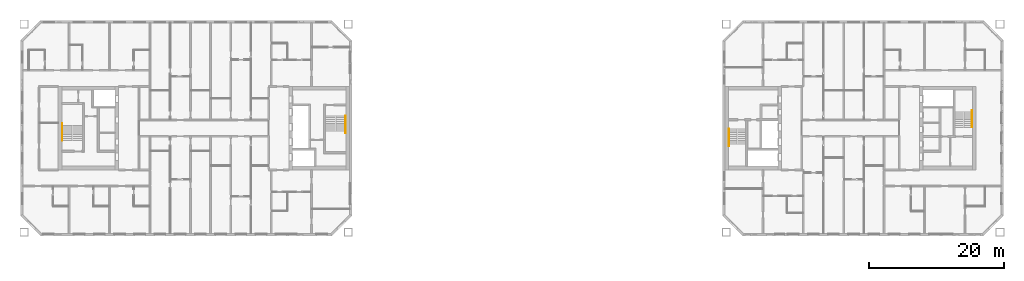
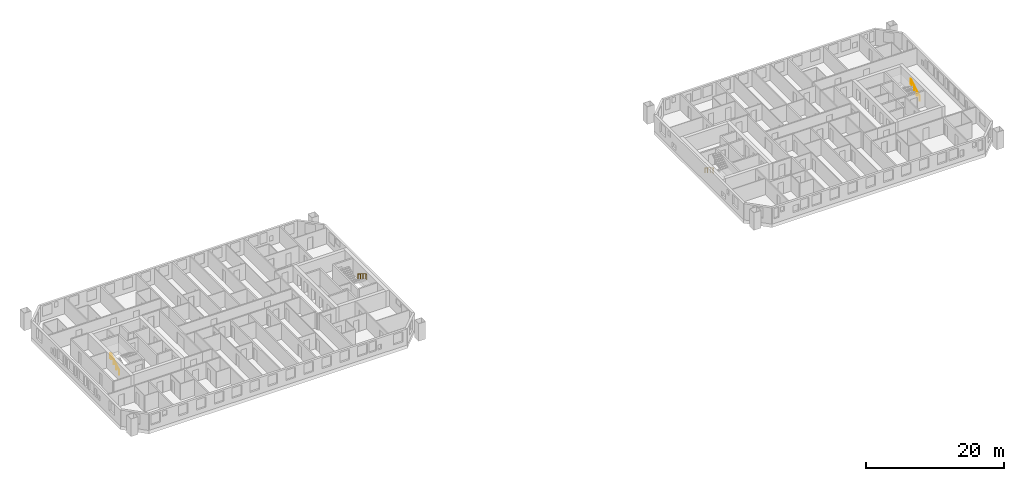
# One storey, part 17 of 17: 4 railings.
"""IFC4 building model written with IfcOpenShell, lengths in metres."""

from ifc_helpers import new_model, si_unit, direction, frame, origin, origin_2d, place, context, subcontext, project, spatial, circle, extrude, material, type_object, element, save


model = new_model("IFC4")

# Units and contexts
model_context = context("Model", 3, precision=1e-05, world=origin(), true_north=direction((0.0, 1.0)))
body_context = subcontext(model_context, "Body", "Model", "MODEL_VIEW")
ifc_project = project(units=[si_unit("LENGTHUNIT", "METRE"), si_unit("AREAUNIT", "SQUARE_METRE"), si_unit("VOLUMEUNIT", "CUBIC_METRE"), si_unit("PLANEANGLEUNIT", "RADIAN"), si_unit("MASSUNIT", "GRAM", prefix="KILO")], contexts=[model_context])

# Site, building, storey
site_placement = place(None, origin())
site = spatial("IfcSite", under=ifc_project, at=site_placement, CompositionType="ELEMENT")
building_placement = place(site_placement, origin())
building = spatial("IfcBuilding", under=site, at=building_placement, Name="Tuart Gate Housing", CompositionType="ELEMENT")
storey_placement = place(building_placement, frame((0.0, 0.0, 123.699951171875)))
storey = spatial("IfcBuildingStorey", under=building, at=storey_placement, Name="L34", CompositionType="ELEMENT", Elevation=123.699951171875)

# Railings
ifc_material = material(Name="Stainless steel", Category="steel")
railing_type = type_object("IfcRailingType", Name="Stair handrail 900", PredefinedType="HANDRAIL", material=ifc_material)
railing_1_placement = place(storey_placement, frame((75.030029296875, 71.824951171875, 0.17236328125)))
element("IfcRailing", 1, at=railing_1_placement, inside=storey, type_object=railing_type, Name="Stair handrail SA1.1", PredefinedType="HANDRAIL", context=body_context, shape_type="SweptSolid", body=[
    extrude(circle(Radius=0.02392578125, at=origin_2d()), frame((0.0, 0.0, 0.8759765625), z_axis=(0.0, -0.85178898068, 0.523885037382), x_axis=(1.0, 0.0, 0.0)), (0.0, 0.0, 1.0), 2.629638671875),
    extrude(circle(Radius=0.02392578125, at=origin_2d()), frame((0.0, -2.239990234375, 2.25341796875), z_axis=(0.0, -1.0, 0.0), x_axis=(1.0, 0.0, 0.0)), (0.0, 0.0, 1.0), 0.300048828125),
    extrude(circle(Radius=0.02099609375, at=origin_2d()), origin(), (0.0, 0.0, 1.0), 0.851806640625),
    extrude(circle(Radius=0.02099609375, at=origin_2d()), frame((0.0, -0.74658203125, 0.459228515625)), (0.0, 0.0, 1.0), 0.851806640625),
    extrude(circle(Radius=0.02099609375, at=origin_2d()), frame((0.0, -1.493408203125, 0.91845703125)), (0.0, 0.0, 1.0), 0.851806640625),
    extrude(circle(Radius=0.02099609375, at=origin_2d()), frame((0.0, -2.239990234375, 1.377685546875)), (0.0, 0.0, 1.0), 0.851806640625),
    extrude(circle(Radius=0.02099609375, at=origin_2d()), frame((0.0, -2.5400390625, 1.377685546875)), (0.0, 0.0, 1.0), 0.851806640625),
])
railing_2_placement = place(storey_placement, frame((32.969970703125, 68.175048828125, 0.17236328125)))
element("IfcRailing", 2, at=railing_2_placement, inside=storey, type_object=railing_type, Name="Stair handrail SA2.1", PredefinedType="HANDRAIL", context=body_context, shape_type="SweptSolid", body=[
    extrude(circle(Radius=0.02392578125, at=origin_2d()), frame((0.0, 0.0, 0.8759765625), z_axis=(0.0, 0.85178898068, 0.523885037382), x_axis=(-1.0, 0.0, 0.0)), (0.0, 0.0, 1.0), 2.629638671875),
    extrude(circle(Radius=0.02392578125, at=origin_2d()), frame((0.0, 2.239990234375, 2.25341796875), z_axis=(0.0, 1.0, 0.0), x_axis=(-1.0, 0.0, 0.0)), (0.0, 0.0, 1.0), 0.300048828125),
    extrude(circle(Radius=0.02099609375, at=origin_2d()), origin(), (0.0, 0.0, 1.0), 0.851806640625),
    extrude(circle(Radius=0.02099609375, at=origin_2d()), frame((0.0, 0.74658203125, 0.459228515625)), (0.0, 0.0, 1.0), 0.851806640625),
    extrude(circle(Radius=0.02099609375, at=origin_2d()), frame((0.0, 1.493408203125, 0.91845703125)), (0.0, 0.0, 1.0), 0.851806640625),
    extrude(circle(Radius=0.02099609375, at=origin_2d()), frame((0.0, 2.239990234375, 1.377685546875)), (0.0, 0.0, 1.0), 0.851806640625),
    extrude(circle(Radius=0.02099609375, at=origin_2d()), frame((0.0, 2.5400390625, 1.377685546875)), (0.0, 0.0, 1.0), 0.851806640625),
])
railing_3_placement = place(storey_placement, frame((131.969970703125, 69.875, 0.17236328125)))
element("IfcRailing", 3, at=railing_3_placement, inside=storey, type_object=railing_type, Name="Stair handrail SB1.1", PredefinedType="HANDRAIL", context=body_context, shape_type="SweptSolid", body=[
    extrude(circle(Radius=0.02392578125, at=origin_2d()), frame((0.0, 0.0, 0.8759765625), z_axis=(0.0, -0.85178898068, 0.523885037382), x_axis=(1.0, 0.0, 0.0)), (0.0, 0.0, 1.0), 2.629638671875),
    extrude(circle(Radius=0.02392578125, at=origin_2d()), frame((0.0, -2.239990234375, 2.25341796875), z_axis=(0.0, -1.0, 0.0), x_axis=(1.0, 0.0, 0.0)), (0.0, 0.0, 1.0), 0.300048828125),
    extrude(circle(Radius=0.02099609375, at=origin_2d()), origin(), (0.0, 0.0, 1.0), 0.851806640625),
    extrude(circle(Radius=0.02099609375, at=origin_2d()), frame((0.0, -0.74658203125, 0.459228515625)), (0.0, 0.0, 1.0), 0.851806640625),
    extrude(circle(Radius=0.02099609375, at=origin_2d()), frame((0.0, -1.493408203125, 0.91845703125)), (0.0, 0.0, 1.0), 0.851806640625),
    extrude(circle(Radius=0.02099609375, at=origin_2d()), frame((0.0, -2.239990234375, 1.377685546875)), (0.0, 0.0, 1.0), 0.851806640625),
    extrude(circle(Radius=0.02099609375, at=origin_2d()), frame((0.0, -2.5400390625, 1.377685546875)), (0.0, 0.0, 1.0), 0.851806640625),
])
railing_4_placement = place(storey_placement, frame((168.030029296875, 70.125, 0.17236328125)))
element("IfcRailing", 4, at=railing_4_placement, inside=storey, type_object=railing_type, Name="Stair handrail SB2.1", PredefinedType="HANDRAIL", context=body_context, shape_type="SweptSolid", body=[
    extrude(circle(Radius=0.02392578125, at=origin_2d()), frame((0.0, 0.0, 0.8759765625), z_axis=(0.0, 0.85178898068, 0.523885037382), x_axis=(-1.0, 0.0, 0.0)), (0.0, 0.0, 1.0), 2.629638671875),
    extrude(circle(Radius=0.02392578125, at=origin_2d()), frame((0.0, 2.239990234375, 2.25341796875), z_axis=(0.0, 1.0, 0.0), x_axis=(-1.0, 0.0, 0.0)), (0.0, 0.0, 1.0), 0.300048828125),
    extrude(circle(Radius=0.02099609375, at=origin_2d()), origin(), (0.0, 0.0, 1.0), 0.851806640625),
    extrude(circle(Radius=0.02099609375, at=origin_2d()), frame((0.0, 0.74658203125, 0.459228515625)), (0.0, 0.0, 1.0), 0.851806640625),
    extrude(circle(Radius=0.02099609375, at=origin_2d()), frame((0.0, 1.493408203125, 0.91845703125)), (0.0, 0.0, 1.0), 0.851806640625),
    extrude(circle(Radius=0.02099609375, at=origin_2d()), frame((0.0, 2.239990234375, 1.377685546875)), (0.0, 0.0, 1.0), 0.851806640625),
    extrude(circle(Radius=0.02099609375, at=origin_2d()), frame((0.0, 2.5400390625, 1.377685546875)), (0.0, 0.0, 1.0), 0.851806640625),
])

save(model, "model.ifc")
